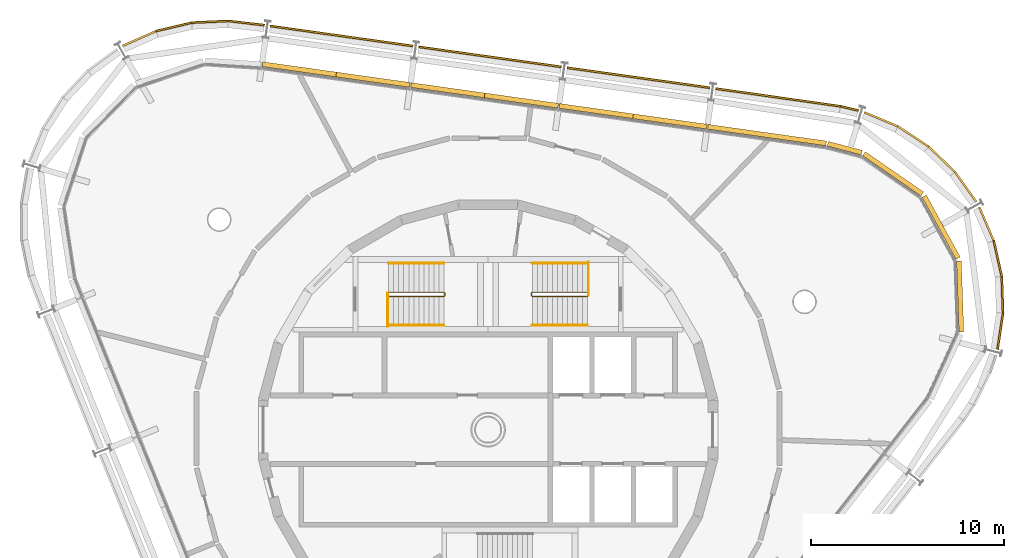
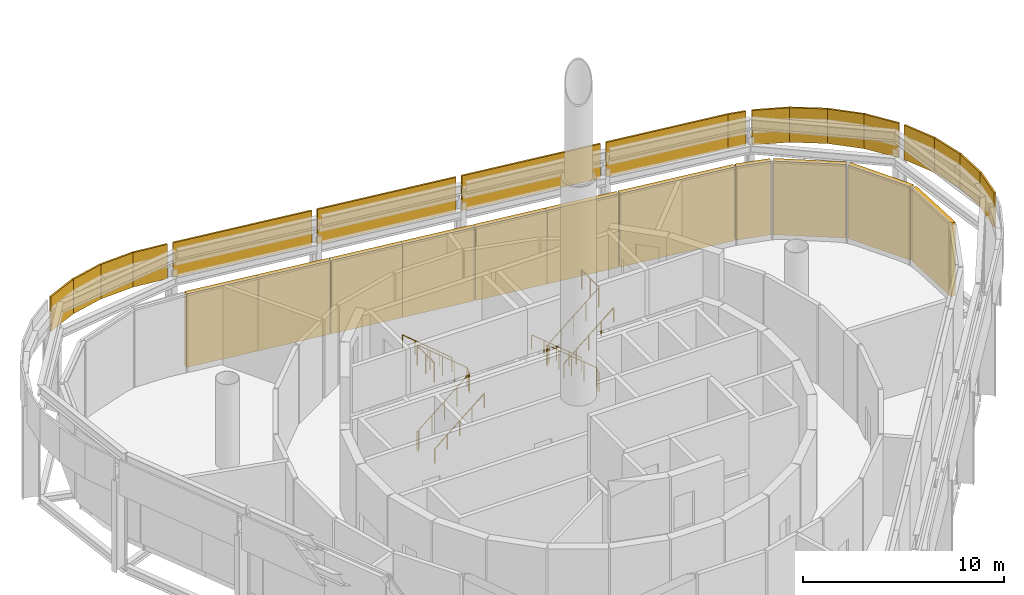
# One storey, part 15 of 15: 17 coverings, 11 shading devices, 8 railings.
"""IFC4 building model written with IfcOpenShell, lengths in metres."""

from ifc_helpers import new_model, si_unit, direction, frame, origin, origin_2d, place, context, subcontext, project, spatial, polyline, rectangle, circle, outline, extrude, material, layer, layer_set, type_object, element, save


model = new_model("IFC4")

# Units and contexts
model_context = context("Model", 3, precision=1e-05, world=origin(), true_north=direction((0.0, 1.0)))
body_context = subcontext(model_context, "Body", "Model", "MODEL_VIEW")
ifc_project = project(units=[si_unit("LENGTHUNIT", "METRE"), si_unit("AREAUNIT", "SQUARE_METRE"), si_unit("VOLUMEUNIT", "CUBIC_METRE"), si_unit("PLANEANGLEUNIT", "RADIAN"), si_unit("MASSUNIT", "GRAM", prefix="KILO")], contexts=[model_context])

# Site, building, storey
site_placement = place(None, origin())
site = spatial("IfcSite", under=ifc_project, at=site_placement, CompositionType="ELEMENT")
building_placement = place(site_placement, origin())
building = spatial("IfcBuilding", under=site, at=building_placement, Name="Spindle Arch Residences", CompositionType="ELEMENT")
storey_placement = place(building_placement, frame((0.0, 0.0, 366.199951171875)))
storey = spatial("IfcBuildingStorey", under=building, at=storey_placement, Name="L94", CompositionType="ELEMENT", Elevation=366.199951171875)

# Shading devices
ifc_material_1 = material(Name="Bronze anodised aluminium louvre blades", Category="aluminium")
shading_device_type = type_object("IfcShadingDeviceType", Name="Bronze louvre bank 250", PredefinedType="USERDEFINED", material=ifc_material_1)
for number, where, z_axis, x_axis, name in (
    (1, (24.451904296875, 6.9033203125, 0.199951171875), (0.0, 0.0, 1.0), (-0.034899497139, 0.999390827004, 0.0), "Crown louvre L94 02"),
    (2, (23.468017578125, 10.49169921875, 0.199951171875), (0.0, 0.0, 1.0), (-0.479713114021, 0.877425397533, 0.0), "Crown louvre L94 03"),
    (3, (20.978271484375, 13.2568359375, 0.199951171875), (0.0, 0.0, 1.0), (-0.822475094841, 0.568801123739, 0.0), "Crown louvre L94 04"),
):
    element("IfcShadingDevice", number, at=place(storey_placement, frame(where, z_axis=z_axis, x_axis=x_axis)), inside=storey, type_object=shading_device_type, Name=name, ObjectType="LOUVRE", PredefinedType="USERDEFINED", context=body_context, shape_type="SweptSolid", body=[
        extrude(rectangle(XDim=3.666748046875, YDim=0.25, at=origin_2d()), origin(), (0.0, 0.0, 1.0), 4.47998046875),
    ])
shading_device_1_placement = place(storey_placement, frame((18.4736328125, 14.583984375, 0.199951171875), z_axis=(0.0, 0.0, 1.0), x_axis=(-0.967415218326, 0.25319517245, 0.0)))
element("IfcShadingDevice", 4, at=shading_device_1_placement, inside=storey, type_object=shading_device_type, Name="Crown louvre L94 05", ObjectType="LOUVRE", PredefinedType="USERDEFINED", context=body_context, shape_type="SweptSolid", body=[
    extrude(rectangle(XDim=1.816162109375, YDim=0.25, at=origin_2d()), origin(), (0.0, 0.0, 1.0), 4.47998046875),
])
shading_device_2_placement = place(storey_placement, frame((14.44873046875, 15.260986328125, 0.199951171875), z_axis=(0.0, 0.0, 1.0), x_axis=(-0.990268068742, 0.13917310096, 0.0)))
element("IfcShadingDevice", 5, at=shading_device_2_placement, inside=storey, type_object=shading_device_type, Name="Crown louvre L94 06", ObjectType="LOUVRE", PredefinedType="USERDEFINED", context=body_context, shape_type="SweptSolid", body=[
    extrude(rectangle(XDim=6.188720703125, YDim=0.25, at=origin_2d()), origin(), (0.0, 0.0, 1.0), 4.47998046875),
])
for number, where, z_axis, x_axis, name in (
    (6, (9.41748046875, 15.96826171875, 0.199951171875), (0.0, 0.0, 1.0), (-0.990268068742, 0.13917310096, 0.0), "Crown louvre L94 05A"),
    (7, (5.60205078125, 16.50439453125, 0.199951171875), (0.0, 0.0, 1.0), (-0.990268068742, 0.13917310096, 0.0), "Crown louvre L94 05B"),
    (8, (1.7275390625, 17.048828125, 0.199951171875), (0.0, 0.0, 1.0), (-0.990268068742, 0.13917310096, 0.0), "Crown louvre L94 06A"),
    (9, (-2.087890625, 17.585205078125, 0.199951171875), (0.0, 0.0, 1.0), (-0.990268068742, 0.13917310096, 0.0), "Crown louvre L94 06B"),
    (10, (-5.962646484375, 18.129638671875, 0.199951171875), (0.0, 0.0, 1.0), (-0.990268068742, 0.13917310096, 0.0), "Crown louvre L94 07A"),
    (11, (-9.77783203125, 18.666015625, 0.199951171875), (0.0, 0.0, 1.0), (-0.990268068742, 0.13917310096, 0.0), "Crown louvre L94 07B"),
):
    element("IfcShadingDevice", number, at=place(storey_placement, frame(where, z_axis=z_axis, x_axis=x_axis)), inside=storey, type_object=shading_device_type, Name=name, ObjectType="LOUVRE", PredefinedType="USERDEFINED", context=body_context, shape_type="SweptSolid", body=[
        extrude(rectangle(XDim=3.852783203125, YDim=0.25, at=origin_2d()), origin(), (0.0, 0.0, 1.0), 4.47998046875),
    ])

# Coverings
ifc_material_2 = material(Name="Bronze anodised aluminium cladding panel", Category="aluminium")
ifc_layer = layer(ifc_material_2, 0.10009765625)
ifc_layer_set = layer_set([ifc_layer], Name="Crown cladding panel 100")
covering_type = type_object("IfcCoveringType", Name="Crown cladding panel 100", PredefinedType="CLADDING", material=ifc_layer_set)
covering_1_placement = place(storey_placement, frame((0.0, 0.0, 4.300048828125)))
element("IfcCovering", 12, at=covering_1_placement, inside=storey, type_object=covering_type, Name="Crown cladding panel 3.1", PredefinedType="CLADDING", context=body_context, shape_type="SweptSolid", body=[
    extrude(outline(polyline([(26.623779296875, 6.043701171875), (26.72265625, 6.02880859375), (26.439208984375, 4.147216796875), (26.34033203125, 4.162109375), (26.623779296875, 6.043701171875)])), origin(), (0.0, 0.0, 1.0), 2.10009765625),
])
covering_2_placement = place(storey_placement, frame((0.0, 0.0, 4.300048828125)))
element("IfcCovering", 13, at=covering_2_placement, inside=storey, type_object=covering_type, Name="Crown cladding panel 3.2", PredefinedType="CLADDING", context=body_context, shape_type="SweptSolid", body=[
    extrude(outline(polyline([(26.555908203125, 7.93408203125), (26.65576171875, 7.9375), (26.722900390625, 6.033447265625), (26.623046875, 6.02978515625), (26.555908203125, 7.93408203125)])), origin(), (0.0, 0.0, 1.0), 2.10009765625),
])
covering_3_placement = place(storey_placement, frame((0.0, 0.0, 4.300048828125)))
element("IfcCovering", 14, at=covering_3_placement, inside=storey, type_object=covering_type, Name="Crown cladding panel 3.3", PredefinedType="CLADDING", context=body_context, shape_type="SweptSolid", body=[
    extrude(outline(polyline([(26.1416015625, 9.779541015625), (26.2392578125, 9.801513671875), (26.655029296875, 7.942138671875), (26.5576171875, 7.92041015625), (26.1416015625, 9.779541015625)])), origin(), (0.0, 0.0, 1.0), 2.10009765625),
])
covering_4_placement = place(storey_placement, frame((0.0, 0.0, 4.300048828125)))
element("IfcCovering", 15, at=covering_4_placement, inside=storey, type_object=covering_type, Name="Crown cladding panel 3.4", PredefinedType="CLADDING", context=body_context, shape_type="SweptSolid", body=[
    extrude(outline(polyline([(25.396240234375, 11.515625), (25.48828125, 11.554931640625), (26.23779296875, 9.805908203125), (26.14599609375, 9.766357421875), (25.396240234375, 11.515625)])), origin(), (0.0, 0.0, 1.0), 2.10009765625),
])
covering_5_placement = place(storey_placement, frame((0.0, 0.0, 4.300048828125)))
element("IfcCovering", 16, at=covering_5_placement, inside=storey, type_object=covering_type, Name="Crown cladding panel 4.1", PredefinedType="CLADDING", context=body_context, shape_type="SweptSolid", body=[
    extrude(outline(polyline([(24.14697265625, 13.322509765625), (24.228271484375, 13.38037109375), (25.3330078125, 11.8310546875), (25.251708984375, 11.77294921875), (24.14697265625, 13.322509765625)])), origin(), (0.0, 0.0, 1.0), 2.10009765625),
])
covering_6_placement = place(storey_placement, frame((0.0, 0.0, 4.300048828125)))
element("IfcCovering", 17, at=covering_6_placement, inside=storey, type_object=covering_type, Name="Crown cladding panel 4.2", PredefinedType="CLADDING", context=body_context, shape_type="SweptSolid", body=[
    extrude(outline(polyline([(22.78369140625, 14.633544921875), (22.85302734375, 14.70556640625), (24.225341796875, 13.3837890625), (24.156005859375, 13.31201171875), (22.78369140625, 14.633544921875)])), origin(), (0.0, 0.0, 1.0), 2.10009765625),
])
covering_7_placement = place(storey_placement, frame((0.0, 0.0, 4.300048828125)))
element("IfcCovering", 18, at=covering_7_placement, inside=storey, type_object=covering_type, Name="Crown cladding panel 4.3", PredefinedType="CLADDING", context=body_context, shape_type="SweptSolid", body=[
    extrude(outline(polyline([(21.202880859375, 15.672119140625), (21.2578125, 15.755615234375), (22.849609375, 14.70849609375), (22.79443359375, 14.625), (21.202880859375, 15.672119140625)])), origin(), (0.0, 0.0, 1.0), 2.10009765625),
])
covering_8_placement = place(storey_placement, frame((0.0, 0.0, 4.300048828125)))
element("IfcCovering", 19, at=covering_8_placement, inside=storey, type_object=covering_type, Name="Crown cladding panel 4.4", PredefinedType="CLADDING", context=body_context, shape_type="SweptSolid", body=[
    extrude(outline(polyline([(19.460205078125, 16.4013671875), (19.498779296875, 16.49365234375), (21.253662109375, 15.7578125), (21.215087890625, 15.66552734375), (19.460205078125, 16.4013671875)])), origin(), (0.0, 0.0, 1.0), 2.10009765625),
])
covering_9_placement = place(storey_placement, frame((0.0, 0.0, 4.300048828125)))
element("IfcCovering", 20, at=covering_9_placement, inside=storey, type_object=covering_type, Name="Crown cladding panel 5.1", PredefinedType="CLADDING", context=body_context, shape_type="SweptSolid", body=[
    extrude(outline(polyline([(18.247314453125, 16.7021484375), (18.27001953125, 16.799560546875), (19.197509765625, 16.58349609375), (19.1748046875, 16.486328125), (18.247314453125, 16.7021484375)])), origin(), (0.0, 0.0, 1.0), 2.10009765625),
])
covering_10_placement = place(storey_placement, frame((0.0, 0.0, 4.300048828125)))
element("IfcCovering", 21, at=covering_10_placement, inside=storey, type_object=covering_type, Name="Crown cladding panel 5.2", PredefinedType="CLADDING", context=body_context, shape_type="SweptSolid", body=[
    extrude(outline(polyline([(11.77685546875, 17.620849609375), (11.790771484375, 17.719970703125), (18.267822265625, 16.800048828125), (18.253662109375, 16.700927734375), (11.77685546875, 17.620849609375)])), origin(), (0.0, 0.0, 1.0), 2.10009765625),
])
covering_11_placement = place(storey_placement, frame((0.0, 0.0, 4.300048828125)))
element("IfcCovering", 22, at=covering_11_placement, inside=storey, type_object=covering_type, Name="Crown cladding panel 6.1", PredefinedType="CLADDING", context=body_context, shape_type="SweptSolid", body=[
    extrude(outline(polyline([(4.0869140625, 18.70166015625), (4.1005859375, 18.80078125), (11.49365234375, 17.76171875), (11.479736328125, 17.66259765625), (4.0869140625, 18.70166015625)])), origin(), (0.0, 0.0, 1.0), 2.10009765625),
])
covering_12_placement = place(storey_placement, frame((0.0, 0.0, 4.300048828125)))
element("IfcCovering", 23, at=covering_12_placement, inside=storey, type_object=covering_type, Name="Crown cladding panel 7.1", PredefinedType="CLADDING", context=body_context, shape_type="SweptSolid", body=[
    extrude(outline(polyline([(-3.603271484375, 19.782470703125), (-3.58935546875, 19.88134765625), (3.8037109375, 18.84228515625), (3.789794921875, 18.743408203125), (-3.603271484375, 19.782470703125)])), origin(), (0.0, 0.0, 1.0), 2.10009765625),
])
covering_13_placement = place(storey_placement, frame((0.0, 0.0, 4.300048828125)))
element("IfcCovering", 24, at=covering_13_placement, inside=storey, type_object=covering_type, Name="Crown cladding panel 8.1", PredefinedType="CLADDING", context=body_context, shape_type="SweptSolid", body=[
    extrude(outline(polyline([(-11.293212890625, 20.86328125), (-11.279296875, 20.962158203125), (-3.886474609375, 19.923095703125), (-3.900390625, 19.82421875), (-11.293212890625, 20.86328125)])), origin(), (0.0, 0.0, 1.0), 2.10009765625),
])
covering_14_placement = place(storey_placement, frame((0.0, 0.0, 4.300048828125)))
element("IfcCovering", 25, at=covering_14_placement, inside=storey, type_object=covering_type, Name="Crown cladding panel 9.1", PredefinedType="CLADDING", context=body_context, shape_type="SweptSolid", body=[
    extrude(outline(polyline([(-13.462890625, 21.12255859375), (-13.451171875, 21.221923828125), (-11.57763671875, 21.004150390625), (-11.589111328125, 20.90478515625), (-13.462890625, 21.12255859375)])), origin(), (0.0, 0.0, 1.0), 2.10009765625),
])
covering_15_placement = place(storey_placement, frame((0.0, 0.0, 4.300048828125)))
element("IfcCovering", 26, at=covering_15_placement, inside=storey, type_object=covering_type, Name="Crown cladding panel 9.2", PredefinedType="CLADDING", context=body_context, shape_type="SweptSolid", body=[
    extrude(outline(polyline([(-15.353515625, 21.033935546875), (-15.358154296875, 21.1337890625), (-13.455322265625, 21.22216796875), (-13.45068359375, 21.122314453125), (-15.353515625, 21.033935546875)])), origin(), (0.0, 0.0, 1.0), 2.10009765625),
])
covering_16_placement = place(storey_placement, frame((0.0, 0.0, 4.300048828125)))
element("IfcCovering", 27, at=covering_16_placement, inside=storey, type_object=covering_type, Name="Crown cladding panel 9.3", PredefinedType="CLADDING", context=body_context, shape_type="SweptSolid", body=[
    extrude(outline(polyline([(-17.194580078125, 20.599609375), (-17.21728515625, 20.69677734375), (-15.36279296875, 21.13330078125), (-15.33984375, 21.035888671875), (-17.194580078125, 20.599609375)])), origin(), (0.0, 0.0, 1.0), 2.10009765625),
])
covering_17_placement = place(storey_placement, frame((0.0, 0.0, 4.300048828125)))
element("IfcCovering", 28, at=covering_17_placement, inside=storey, type_object=covering_type, Name="Crown cladding panel 9.4", PredefinedType="CLADDING", context=body_context, shape_type="SweptSolid", body=[
    extrude(outline(polyline([(-18.922119140625, 19.835205078125), (-18.962646484375, 19.926513671875), (-17.2216796875, 20.6953125), (-17.181396484375, 20.60400390625), (-18.922119140625, 19.835205078125)])), origin(), (0.0, 0.0, 1.0), 2.10009765625),
])

# Railings
ifc_material_3 = material(Name="Steel, painted", Category="steel")
railing_type_1 = type_object("IfcRailingType", Name="Stair guard 1100", PredefinedType="GUARDRAIL", material=ifc_material_3)
railing_1_placement = place(storey_placement, frame((5.14990234375, 6.89990234375, 5.199951171875)))
element("IfcRailing", 29, at=railing_1_placement, inside=storey, type_object=railing_type_1, Name="L94 ST1 stair guard 1", PredefinedType="GUARDRAIL", context=body_context, shape_type="SweptSolid", body=[
    extrude(circle(Radius=0.02392578125, at=origin_2d()), frame((0.0, 0.0, 1.17578125), z_axis=(-0.76821052858, 0.0, -0.640197300665), x_axis=(0.0, -1.0, 0.0)), (0.0, 0.0, 1.0), 3.72265625),
    extrude(circle(Radius=0.02392578125, at=origin_2d()), frame((-2.85986328125, 0.0, -1.20751953125), z_axis=(-0.219679693006, 0.219679693006, -0.950516525349), x_axis=(-0.707106781187, -0.707106781187, 0.0)), (0.0, 0.0, 1.0), 0.227783203125),
    extrude(circle(Radius=0.02392578125, at=origin_2d()), frame((-2.909912109375, 0.050048828125, -1.423828125), z_axis=(0.0, 1.0, 0.0), x_axis=(-1.0, 0.0, 0.0)), (0.0, 0.0, 1.0), 0.1201171875),
    extrude(circle(Radius=0.02392578125, at=origin_2d()), frame((-2.909912109375, 0.170166015625, -1.423828125), z_axis=(0.707106781187, 0.707106781187, 0.0), x_axis=(-0.707106781187, 0.707106781187, 0.0)), (0.0, 0.0, 1.0), 0.07080078125),
    extrude(circle(Radius=0.02392578125, at=origin_2d()), frame((-2.85986328125, 0.22021484375, -1.423828125), z_axis=(0.76821052858, 0.0, -0.640197300665), x_axis=(0.0, 1.0, 0.0)), (0.0, 0.0, 1.0), 3.72265625),
    extrude(circle(Radius=0.02392578125, at=origin_2d()), frame((0.0, 0.22021484375, -3.80712890625), z_axis=(0.219456146917, -0.219456146917, -0.950619797375), x_axis=(0.707106781187, 0.707106781187, 0.0)), (0.0, 0.0, 1.0), 0.22802734375),
    extrude(circle(Radius=0.02392578125, at=origin_2d()), frame((0.050048828125, 0.170166015625, -4.02392578125), z_axis=(0.0, -1.0, 0.0), x_axis=(1.0, 0.0, 0.0)), (0.0, 0.0, 1.0), 0.1201171875),
    extrude(circle(Radius=0.02099609375, at=origin_2d()), origin(), (0.0, 0.0, 1.0), 1.15185546875),
    extrude(circle(Radius=0.02099609375, at=origin_2d()), frame((-0.71484375, 0.0, -0.595703125)), (0.0, 0.0, 1.0), 1.15185546875),
    extrude(circle(Radius=0.02099609375, at=origin_2d()), frame((-1.429931640625, 0.0, -1.191650390625)), (0.0, 0.0, 1.0), 1.15185546875),
    extrude(circle(Radius=0.02099609375, at=origin_2d()), frame((-2.14501953125, 0.0, -1.78759765625)), (0.0, 0.0, 1.0), 1.15185546875),
    extrude(circle(Radius=0.02099609375, at=origin_2d()), frame((-2.85986328125, 0.0, -2.38330078125)), (0.0, 0.0, 1.0), 1.15185546875),
    extrude(circle(Radius=0.02099609375, at=origin_2d()), frame((-2.909912109375, 0.050048828125, -2.599853515625)), (0.0, 0.0, 1.0), 1.15185546875),
    extrude(circle(Radius=0.02099609375, at=origin_2d()), frame((-2.909912109375, 0.170166015625, -2.599853515625)), (0.0, 0.0, 1.0), 1.15185546875),
    extrude(circle(Radius=0.02099609375, at=origin_2d()), frame((-2.85986328125, 0.22021484375, -2.599853515625)), (0.0, 0.0, 1.0), 1.15185546875),
    extrude(circle(Radius=0.02099609375, at=origin_2d()), frame((-2.14501953125, 0.22021484375, -3.19580078125)), (0.0, 0.0, 1.0), 1.15185546875),
    extrude(circle(Radius=0.02099609375, at=origin_2d()), frame((-1.429931640625, 0.22021484375, -3.79150390625)), (0.0, 0.0, 1.0), 1.15185546875),
    extrude(circle(Radius=0.02099609375, at=origin_2d()), frame((-0.71484375, 0.22021484375, -4.38720703125)), (0.0, 0.0, 1.0), 1.15185546875),
    extrude(circle(Radius=0.02099609375, at=origin_2d()), frame((0.0, 0.22021484375, -4.983154296875)), (0.0, 0.0, 1.0), 1.15185546875),
    extrude(circle(Radius=0.02099609375, at=origin_2d()), frame((0.050048828125, 0.170166015625, -5.199951171875)), (0.0, 0.0, 1.0), 1.15185546875),
    extrude(circle(Radius=0.02099609375, at=origin_2d()), frame((0.050048828125, 0.050048828125, -5.199951171875)), (0.0, 0.0, 1.0), 1.15185546875),
])
railing_2_placement = place(storey_placement, frame((5.199951171875, 8.669921875, 5.199951171875)))
element("IfcRailing", 30, at=railing_2_placement, inside=storey, type_object=railing_type_1, Name="L94 ST1 top well guard 1", PredefinedType="GUARDRAIL", context=body_context, shape_type="SweptSolid", body=[
    extrude(circle(Radius=0.02392578125, at=origin_2d()), frame((0.0, 0.0, 1.17578125), z_axis=(0.0, -1.0, 0.0), x_axis=(1.0, 0.0, 0.0)), (0.0, 0.0, 1.0), 1.719970703125),
    extrude(circle(Radius=0.02099609375, at=origin_2d()), origin(), (0.0, 0.0, 1.0), 1.15185546875),
    extrude(circle(Radius=0.02099609375, at=origin_2d()), frame((0.0, -0.85986328125, 0.0)), (0.0, 0.0, 1.0), 1.15185546875),
    extrude(circle(Radius=0.02099609375, at=origin_2d()), frame((0.0, -1.719970703125, 0.0)), (0.0, 0.0, 1.0), 1.15185546875),
])
railing_3_placement = place(storey_placement, frame((-5.14990234375, 7.1201171875, 5.199951171875)))
element("IfcRailing", 31, at=railing_3_placement, inside=storey, type_object=railing_type_1, Name="L94 ST2 stair guard 1", PredefinedType="GUARDRAIL", context=body_context, shape_type="SweptSolid", body=[
    extrude(circle(Radius=0.02392578125, at=origin_2d()), frame((0.0, 0.0, 1.17578125), z_axis=(0.76821052858, 0.0, -0.640197300665), x_axis=(0.0, 1.0, 0.0)), (0.0, 0.0, 1.0), 3.72265625),
    extrude(circle(Radius=0.02392578125, at=origin_2d()), frame((2.85986328125, 0.0, -1.20751953125), z_axis=(0.219679693006, -0.219679693006, -0.950516525349), x_axis=(0.707106781187, 0.707106781187, 0.0)), (0.0, 0.0, 1.0), 0.227783203125),
    extrude(circle(Radius=0.02392578125, at=origin_2d()), frame((2.909912109375, -0.050048828125, -1.423828125), z_axis=(0.0, -1.0, 0.0), x_axis=(1.0, 0.0, 0.0)), (0.0, 0.0, 1.0), 0.1201171875),
    extrude(circle(Radius=0.02392578125, at=origin_2d()), frame((2.909912109375, -0.170166015625, -1.423828125), z_axis=(-0.707106781187, -0.707106781187, 0.0), x_axis=(0.707106781187, -0.707106781187, 0.0)), (0.0, 0.0, 1.0), 0.07080078125),
    extrude(circle(Radius=0.02392578125, at=origin_2d()), frame((2.85986328125, -0.22021484375, -1.423828125), z_axis=(-0.76821052858, 0.0, -0.640197300665), x_axis=(0.0, -1.0, 0.0)), (0.0, 0.0, 1.0), 3.72265625),
    extrude(circle(Radius=0.02392578125, at=origin_2d()), frame((0.0, -0.22021484375, -3.80712890625), z_axis=(-0.219456146917, 0.219456146917, -0.950619797375), x_axis=(-0.707106781187, -0.707106781187, 0.0)), (0.0, 0.0, 1.0), 0.22802734375),
    extrude(circle(Radius=0.02392578125, at=origin_2d()), frame((-0.050048828125, -0.170166015625, -4.02392578125), z_axis=(0.0, 1.0, 0.0), x_axis=(-1.0, 0.0, 0.0)), (0.0, 0.0, 1.0), 0.1201171875),
    extrude(circle(Radius=0.02099609375, at=origin_2d()), origin(), (0.0, 0.0, 1.0), 1.15185546875),
    extrude(circle(Radius=0.02099609375, at=origin_2d()), frame((0.71484375, 0.0, -0.595703125)), (0.0, 0.0, 1.0), 1.15185546875),
    extrude(circle(Radius=0.02099609375, at=origin_2d()), frame((1.429931640625, 0.0, -1.191650390625)), (0.0, 0.0, 1.0), 1.15185546875),
    extrude(circle(Radius=0.02099609375, at=origin_2d()), frame((2.14501953125, 0.0, -1.78759765625)), (0.0, 0.0, 1.0), 1.15185546875),
    extrude(circle(Radius=0.02099609375, at=origin_2d()), frame((2.85986328125, 0.0, -2.38330078125)), (0.0, 0.0, 1.0), 1.15185546875),
    extrude(circle(Radius=0.02099609375, at=origin_2d()), frame((2.909912109375, -0.050048828125, -2.599853515625)), (0.0, 0.0, 1.0), 1.15185546875),
    extrude(circle(Radius=0.02099609375, at=origin_2d()), frame((2.909912109375, -0.170166015625, -2.599853515625)), (0.0, 0.0, 1.0), 1.15185546875),
    extrude(circle(Radius=0.02099609375, at=origin_2d()), frame((2.85986328125, -0.22021484375, -2.599853515625)), (0.0, 0.0, 1.0), 1.15185546875),
    extrude(circle(Radius=0.02099609375, at=origin_2d()), frame((2.14501953125, -0.22021484375, -3.19580078125)), (0.0, 0.0, 1.0), 1.15185546875),
    extrude(circle(Radius=0.02099609375, at=origin_2d()), frame((1.429931640625, -0.22021484375, -3.79150390625)), (0.0, 0.0, 1.0), 1.15185546875),
    extrude(circle(Radius=0.02099609375, at=origin_2d()), frame((0.71484375, -0.22021484375, -4.38720703125)), (0.0, 0.0, 1.0), 1.15185546875),
    extrude(circle(Radius=0.02099609375, at=origin_2d()), frame((0.0, -0.22021484375, -4.983154296875)), (0.0, 0.0, 1.0), 1.15185546875),
    extrude(circle(Radius=0.02099609375, at=origin_2d()), frame((-0.050048828125, -0.170166015625, -5.199951171875)), (0.0, 0.0, 1.0), 1.15185546875),
    extrude(circle(Radius=0.02099609375, at=origin_2d()), frame((-0.050048828125, -0.050048828125, -5.199951171875)), (0.0, 0.0, 1.0), 1.15185546875),
])
railing_4_placement = place(storey_placement, frame((-5.199951171875, 5.35009765625, 5.199951171875)))
element("IfcRailing", 32, at=railing_4_placement, inside=storey, type_object=railing_type_1, Name="L94 ST2 top well guard 1", PredefinedType="GUARDRAIL", context=body_context, shape_type="SweptSolid", body=[
    extrude(circle(Radius=0.02392578125, at=origin_2d()), frame((0.0, 0.0, 1.17578125), z_axis=(0.0, 1.0, 0.0), x_axis=(-1.0, 0.0, 0.0)), (0.0, 0.0, 1.0), 1.719970703125),
    extrude(circle(Radius=0.02099609375, at=origin_2d()), origin(), (0.0, 0.0, 1.0), 1.15185546875),
    extrude(circle(Radius=0.02099609375, at=origin_2d()), frame((0.0, 0.85986328125, 0.0)), (0.0, 0.0, 1.0), 1.15185546875),
    extrude(circle(Radius=0.02099609375, at=origin_2d()), frame((0.0, 1.719970703125, 0.0)), (0.0, 0.0, 1.0), 1.15185546875),
])
ifc_material_4 = material(Name="Steel, painted", Category="steel")
railing_type_2 = type_object("IfcRailingType", Name="Stair handrail 900", PredefinedType="HANDRAIL", material=ifc_material_4)
railing_5_placement = place(storey_placement, frame((5.14990234375, 8.6201171875, 0.216796875)))
element("IfcRailing", 33, at=railing_5_placement, inside=storey, type_object=railing_type_2, Name="L94 ST1 stair handrail 1", PredefinedType="HANDRAIL", context=body_context, shape_type="SweptSolid", body=[
    extrude(circle(Radius=0.02392578125, at=origin_2d()), frame((0.0, 0.0, 0.8759765625), z_axis=(-0.76821052858, 0.0, 0.640197300665), x_axis=(0.0, -1.0, 0.0)), (0.0, 0.0, 1.0), 3.72265625),
    extrude(circle(Radius=0.02099609375, at=origin_2d()), origin(), (0.0, 0.0, 1.0), 0.851806640625),
    extrude(circle(Radius=0.02099609375, at=origin_2d()), frame((-0.71484375, 0.0, 0.595703125)), (0.0, 0.0, 1.0), 0.851806640625),
    extrude(circle(Radius=0.02099609375, at=origin_2d()), frame((-1.429931640625, 0.0, 1.191650390625)), (0.0, 0.0, 1.0), 0.851806640625),
    extrude(circle(Radius=0.02099609375, at=origin_2d()), frame((-2.14501953125, 0.0, 1.78759765625)), (0.0, 0.0, 1.0), 0.851806640625),
    extrude(circle(Radius=0.02099609375, at=origin_2d()), frame((-2.85986328125, 0.0, 2.38330078125)), (0.0, 0.0, 1.0), 0.851806640625),
])
for number, where, name in (
    (34, (2.2900390625, 5.39990234375, 2.816650390625), "L94 ST1 stair handrail 2"),
    (35, (-5.14990234375, 5.39990234375, 0.216796875), "L94 ST2 stair handrail 1"),
):
    element("IfcRailing", number, at=place(storey_placement, frame(where)), inside=storey, type_object=railing_type_2, Name=name, PredefinedType="HANDRAIL", context=body_context, shape_type="SweptSolid", body=[
        extrude(circle(Radius=0.02392578125, at=origin_2d()), frame((0.0, 0.0, 0.8759765625), z_axis=(0.76821052858, 0.0, 0.640197300665), x_axis=(0.0, 1.0, 0.0)), (0.0, 0.0, 1.0), 3.72265625),
        extrude(circle(Radius=0.02099609375, at=origin_2d()), origin(), (0.0, 0.0, 1.0), 0.851806640625),
        extrude(circle(Radius=0.02099609375, at=origin_2d()), frame((0.71484375, 0.0, 0.595703125)), (0.0, 0.0, 1.0), 0.851806640625),
        extrude(circle(Radius=0.02099609375, at=origin_2d()), frame((1.429931640625, 0.0, 1.191650390625)), (0.0, 0.0, 1.0), 0.851806640625),
        extrude(circle(Radius=0.02099609375, at=origin_2d()), frame((2.14501953125, 0.0, 1.78759765625)), (0.0, 0.0, 1.0), 0.851806640625),
        extrude(circle(Radius=0.02099609375, at=origin_2d()), frame((2.85986328125, 0.0, 2.38330078125)), (0.0, 0.0, 1.0), 0.851806640625),
    ])
railing_6_placement = place(storey_placement, frame((-2.2900390625, 8.6201171875, 2.816650390625)))
element("IfcRailing", 36, at=railing_6_placement, inside=storey, type_object=railing_type_2, Name="L94 ST2 stair handrail 2", PredefinedType="HANDRAIL", context=body_context, shape_type="SweptSolid", body=[
    extrude(circle(Radius=0.02392578125, at=origin_2d()), frame((0.0, 0.0, 0.8759765625), z_axis=(-0.76821052858, 0.0, 0.640197300665), x_axis=(0.0, -1.0, 0.0)), (0.0, 0.0, 1.0), 3.72265625),
    extrude(circle(Radius=0.02099609375, at=origin_2d()), origin(), (0.0, 0.0, 1.0), 0.851806640625),
    extrude(circle(Radius=0.02099609375, at=origin_2d()), frame((-0.71484375, 0.0, 0.595703125)), (0.0, 0.0, 1.0), 0.851806640625),
    extrude(circle(Radius=0.02099609375, at=origin_2d()), frame((-1.429931640625, 0.0, 1.191650390625)), (0.0, 0.0, 1.0), 0.851806640625),
    extrude(circle(Radius=0.02099609375, at=origin_2d()), frame((-2.14501953125, 0.0, 1.78759765625)), (0.0, 0.0, 1.0), 0.851806640625),
    extrude(circle(Radius=0.02099609375, at=origin_2d()), frame((-2.85986328125, 0.0, 2.38330078125)), (0.0, 0.0, 1.0), 0.851806640625),
])

save(model, "model.ifc")
